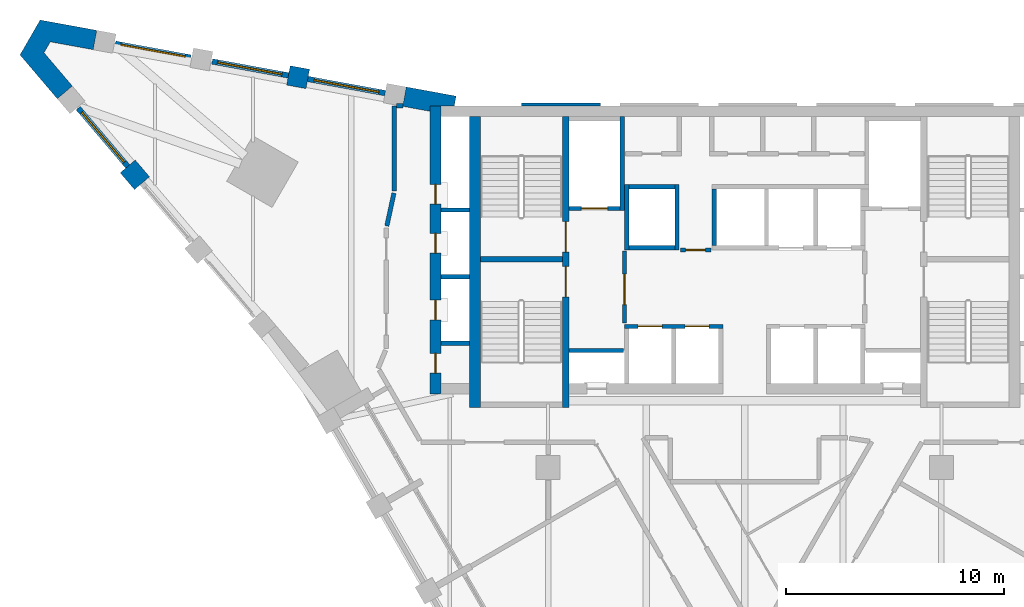
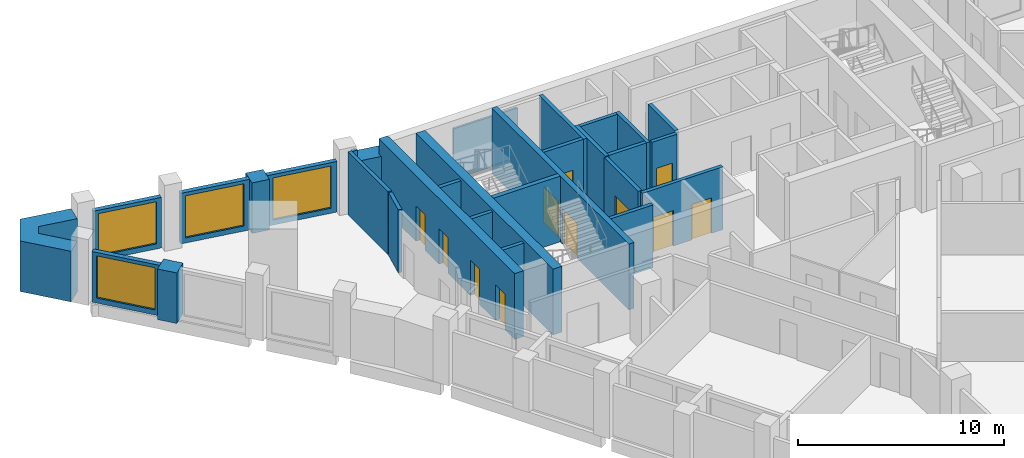
# One storey, part 5 of 9: 30 walls, 11 doors, 4 windows, 15 openings.
"""IFC4 building model written with IfcOpenShell, lengths in metres."""

import ifcopenshell
import ifcopenshell.guid

model = None  # the IFC model being written
_history = None  # IfcOwnerHistory: only IFC2X3 demands one
_inside = {}  # id of a spatial element -> (the spatial element, [elements in it])
_under = {}  # id of a project, library or spatial element -> (it, [spatial elements below it])
_declared = {}  # id of a project -> (the project, [libraries it declares])
_typed = {}  # id of a type object -> (the type object, [elements of that type])
_made_of = {}  # id of a material, layer set ... -> (it, [elements and type objects made of it])


def new_model(schema):
    """Start an empty IFC model of exactly this schema.

    Asked for "IFC4X3", IfcOpenShell would pick the latest addendum, in which some entities
    have other attributes; the version numbers below select the first issue.
    IFC2X3 requires an IfcOwnerHistory on every rooted entity: one is made here for all.
    """
    global model, _history
    if schema == "IFC4X3":
        model = ifcopenshell.file(schema_version=(4, 3, 0, 0))
    else:
        model = ifcopenshell.file(schema=schema)
    _inside.clear()
    _under.clear()
    _declared.clear()
    _typed.clear()
    _made_of.clear()
    _history = None
    if model.schema == "IFC2X3":
        org = make("IfcOrganization", Name="unknown")
        user = make(
            "IfcPersonAndOrganization",
            ThePerson=make("IfcPerson", FamilyName="unknown"),
            TheOrganization=org,
        )
        app = make(
            "IfcApplication",
            ApplicationDeveloper=org,
            Version="unknown",
            ApplicationFullName="unknown",
            ApplicationIdentifier="unknown",
        )
        _history = make(
            "IfcOwnerHistory",
            OwningUser=user,
            OwningApplication=app,
            ChangeAction="ADDED",
            CreationDate=0,
        )
    return model


def make(cls, **values):
    """One entity of the class cls with the attributes given. An attribute that is None is left unset."""
    return model.create_entity(
        cls, **{name: value for name, value in values.items() if value is not None}
    )


def rooted(cls, **values):
    """An entity with a GlobalId (a new one), such as an element, a storey or a relation."""
    return make(cls, GlobalId=ifcopenshell.guid.new(), OwnerHistory=_history, **values)


def si_unit(unit_type, name, prefix=None):
    """IfcSIUnit, for example si_unit("LENGTHUNIT", "METRE", prefix="MILLI")."""
    return make("IfcSIUnit", UnitType=unit_type, Prefix=prefix, Name=name)


def assignment(units):
    """IfcUnitAssignment: the units of a project."""
    return None if units is None else make("IfcUnitAssignment", Units=units)


def point(xyz):
    """IfcCartesianPoint."""
    return None if xyz is None else make("IfcCartesianPoint", Coordinates=xyz)


def direction(xyz):
    """IfcDirection."""
    return None if xyz is None else make("IfcDirection", DirectionRatios=xyz)


def frame(location, z_axis=None, x_axis=None):
    """IfcAxis2Placement3D, a coordinate frame: its origin and axes. An axis left out is left unset."""
    return make(
        "IfcAxis2Placement3D",
        Location=point(location),
        Axis=direction(z_axis),
        RefDirection=direction(x_axis),
    )


def frame_2d(location, x_axis=None):
    """IfcAxis2Placement2D, a coordinate frame in the plane: its origin and x axis."""
    return make(
        "IfcAxis2Placement2D", Location=point(location), RefDirection=direction(x_axis)
    )


def origin():
    """The frame at (0, 0, 0) with its axes left unset."""
    return frame((0.0, 0.0, 0.0))


def place(relative_to, where):
    """IfcLocalPlacement: puts the frame where relative to a parent placement (None: the world)."""
    return make(
        "IfcLocalPlacement", PlacementRelTo=relative_to, RelativePlacement=where
    )


def context(
    kind, dimensions, precision=None, world=None, true_north=None, identifier=None
):
    """IfcGeometricRepresentationContext, for example the 3D "Model" context."""
    return make(
        "IfcGeometricRepresentationContext",
        ContextIdentifier=identifier,
        ContextType=kind,
        CoordinateSpaceDimension=dimensions,
        Precision=precision,
        WorldCoordinateSystem=world,
        TrueNorth=true_north,
    )


def subcontext(parent, identifier, kind, view, scale=None):
    """IfcGeometricRepresentationSubContext, for example "Body" below "Model"."""
    return make(
        "IfcGeometricRepresentationSubContext",
        ContextIdentifier=identifier,
        ContextType=kind,
        ParentContext=parent,
        TargetScale=scale,
        TargetView=view,
    )


def project(units=None, contexts=None):
    """IfcProject with its units and contexts."""
    return rooted(
        "IfcProject",
        Name="project",
        RepresentationContexts=contexts,
        UnitsInContext=assignment(units),
    )


def spatial(cls, under=None, at=None, **own):
    """A site, building, storey or space (cls), placed at a placement, below another one or the project."""
    s = rooted(cls, ObjectPlacement=at, **own)
    if under is not None:
        _under.setdefault(under.id(), (under, []))[1].append(s)
    return s


def polyline(points):
    """IfcPolyline through the points."""
    return make("IfcPolyline", Points=[point(p) for p in points])


def profile(cls, at=None, kind="AREA", **sizes):
    """A parametric profile (cls). Its sizes go by their IFC names, for example OverallWidth=200.0."""
    return make(cls, ProfileType=kind, Position=at, **sizes)


def rectangle(**sizes):
    """IfcRectangleProfileDef."""
    return profile("IfcRectangleProfileDef", **sizes)


def outline(outer, holes=None, kind="AREA"):
    """IfcArbitraryClosedProfileDef: a profile drawn as a closed curve; with holes, ...WithVoids."""
    if holes is None:
        return make("IfcArbitraryClosedProfileDef", ProfileType=kind, OuterCurve=outer)
    return make(
        "IfcArbitraryProfileDefWithVoids",
        ProfileType=kind,
        OuterCurve=outer,
        InnerCurves=holes,
    )


def extrude(swept, where, along, depth):
    """IfcExtrudedAreaSolid: the profile swept, set in the frame where, extruded along a direction by depth."""
    return make(
        "IfcExtrudedAreaSolid",
        SweptArea=swept,
        Position=where,
        ExtrudedDirection=direction(along),
        Depth=depth,
    )


def shape(context_of_items, identifier, shape_type, items):
    """IfcShapeRepresentation: the items that make up one representation, for example the "Body"."""
    return make(
        "IfcShapeRepresentation",
        ContextOfItems=context_of_items,
        RepresentationIdentifier=identifier,
        RepresentationType=shape_type,
        Items=items,
    )


def material(Name=None, Category=None):
    """IfcMaterial."""
    return make("IfcMaterial", Name=Name, Category=Category)


def layer(
    of_material, thickness, ventilated=None, Name=None, Category=None, Priority=None
):
    """IfcMaterialLayer: one layer of a wall or slab, of a material (None: an air gap)."""
    return make(
        "IfcMaterialLayer",
        Material=of_material,
        LayerThickness=thickness,
        IsVentilated=ventilated,
        Name=Name,
        Category=Category,
        Priority=Priority,
    )


def layer_set(layers, Name=None):
    """IfcMaterialLayerSet."""
    return make("IfcMaterialLayerSet", MaterialLayers=layers, LayerSetName=Name)


def made_of(thing, what):
    """Note that an element or type object is made of a material, layer set ...; save() writes the relation."""
    if what is not None:
        _made_of.setdefault(what.id(), (what, []))[1].append(thing)
    return thing


def type_object(cls, material=None, **own):
    """A type object (cls), such as IfcWallType, which elements share."""
    return made_of(rooted(cls, **own), material)


def element(
    cls,
    number,
    at=None,
    inside=None,
    cuts=None,
    type_object=None,
    material=None,
    context=None,
    identifier="Body",
    shape_type=None,
    held_by="IfcProductDefinitionShape",
    body=None,
    shapes=None,
    **own,
):
    """One element of the class cls, such as IfcWall. Its Tag is "e" and its number.

    at: its placement. inside: the storey or other place that contains it. cuts: it is an
    opening in that element (IfcRelVoidsElement). A single representation is given by context,
    identifier, shape_type and body (its items); several are given by shapes. held_by: the class
    of the entity that holds the representations. save() writes the other relations.
    """
    e = rooted(cls, Tag="e%d" % number, ObjectPlacement=at, **own)
    if body is not None:
        shapes = [shape(context, identifier, shape_type, body)]
    if shapes is not None:
        e.Representation = make(held_by, Representations=shapes)
    if inside is not None:
        _inside.setdefault(inside.id(), (inside, []))[1].append(e)
    if cuts is not None:
        rooted(
            "IfcRelVoidsElement", RelatingBuildingElement=cuts, RelatedOpeningElement=e
        )
    if type_object is not None:
        _typed.setdefault(type_object.id(), (type_object, []))[1].append(e)
    return made_of(e, material)


def fill(opening, filler):
    """IfcRelFillsElement: the door or window that sits in an opening."""
    return rooted(
        "IfcRelFillsElement",
        RelatingOpeningElement=opening,
        RelatedBuildingElement=filler,
    )


def aggregate(whole, parts):
    """IfcRelAggregates: a whole, such as a stair, and the parts it consists of."""
    return rooted("IfcRelAggregates", RelatingObject=whole, RelatedObjects=parts)


def save(model, path):
    """Write the relations noted so far, then the file.

    IfcRelAggregates (storeys below a building ...), IfcRelContainedInSpatialStructure (elements
    in a storey), IfcRelDefinesByType, IfcRelAssociatesMaterial and IfcRelDeclares: one each for
    every whole, place, type object, material and project.
    """
    for whole, parts in _under.values():
        aggregate(whole, parts)
    for where, things in _inside.values():
        rooted(
            "IfcRelContainedInSpatialStructure",
            RelatedElements=things,
            RelatingStructure=where,
        )
    for kind, things in _typed.values():
        rooted("IfcRelDefinesByType", RelatedObjects=things, RelatingType=kind)
    for what, things in _made_of.values():
        rooted("IfcRelAssociatesMaterial", RelatedObjects=things, RelatingMaterial=what)
    for by, libraries in _declared.values():
        rooted("IfcRelDeclares", RelatingContext=by, RelatedDefinitions=libraries)
    model.write(path)


model = new_model("IFC4")

# Units and contexts
model_context = context("Model", 3, precision=1e-05, world=origin(), true_north=direction((0.0, 1.0)))
body_context = subcontext(model_context, "Body", "Model", "MODEL_VIEW")
ifc_project = project(units=[si_unit("LENGTHUNIT", "METRE"), si_unit("AREAUNIT", "SQUARE_METRE"), si_unit("VOLUMEUNIT", "CUBIC_METRE"), si_unit("PLANEANGLEUNIT", "RADIAN"), si_unit("MASSUNIT", "GRAM", prefix="KILO")], contexts=[model_context])

# Site, building, storey
site_placement = place(None, origin())
site = spatial("IfcSite", under=ifc_project, at=site_placement, CompositionType="ELEMENT")
building_placement = place(site_placement, origin())
building = spatial("IfcBuilding", under=site, at=building_placement, Name="Calabash Gate Tower", CompositionType="ELEMENT")
storey_placement = place(building_placement, frame((0.0, 0.0, 223.699951171875)))
storey = spatial("IfcBuildingStorey", under=building, at=storey_placement, Name="L53", CompositionType="ELEMENT", Elevation=223.699951171875)

# Walls
ifc_material_1 = material(Name="Terracotta brick masonry, exposed face", Category="masonry")
ifc_layer_1 = layer(ifc_material_1, 0.89990234375)
ifc_layer_set_1 = layer_set([ifc_layer_1], Name="Brick end wall 900")
wall_type_1 = type_object("IfcWallType", Name="Brick end wall 900", PredefinedType="SOLIDWALL", material=ifc_layer_set_1)
wall_1_placement = place(storey_placement, frame((-20.52099609375, 19.91796875, 0.0), z_axis=(0.0, 0.0, 1.0), x_axis=(0.180126650564, 0.983643426124, 0.0)))
element("IfcWall", 1, at=wall_1_placement, inside=storey, type_object=wall_type_1, Name="Brick pier S15 wedge5.1", PredefinedType="SOLIDWALL", context=body_context, shape_type="SweptSolid", body=[
    extrude(rectangle(XDim=0.89990234375, YDim=0.89990234375, at=frame_2d((0.449951171875, 0.0))), origin(), (0.0, 0.0, 1.0), 3.0),
])
wall_2_placement = place(storey_placement, frame((-27.587890625, 15.511474609375, 0.0), z_axis=(0.0, 0.0, 1.0), x_axis=(-0.647641360564, 0.761945318305, 0.0)))
element("IfcWall", 2, at=wall_2_placement, inside=storey, type_object=wall_type_1, Name="Brick pier S15 wedge7.1", PredefinedType="SOLIDWALL", context=body_context, shape_type="SweptSolid", body=[
    extrude(rectangle(XDim=1.00390625, YDim=0.89990234375, at=frame_2d((0.501953125, 0.0))), origin(), (0.0, 0.0, 1.0), 3.0),
])
wall_3_placement = place(storey_placement, origin())
element("IfcWall", 3, at=wall_3_placement, inside=storey, type_object=wall_type_1, Name="Brick end wall S15 1", PredefinedType="SOLIDWALL", context=body_context, shape_type="SweptSolid", body=[
    extrude(outline(polyline([(-15.651611328125, 19.02734375), (-15.65185546875, 19.027099609375), (-14.39990234375, 18.798095703125), (-14.39990234375, 19.052490234375), (-13.291015625, 19.052490234375), (-13.2099609375, 19.4951171875), (-15.489501953125, 19.912353515625), (-15.6513671875, 19.02734375), (-15.651611328125, 19.02734375)])), origin(), (0.0, 0.0, 1.0), 3.0),
])
wall_4_placement = place(storey_placement, origin())
element("IfcWall", 4, at=wall_4_placement, inside=storey, type_object=wall_type_1, Name="Brick end wall S15 2", PredefinedType="SOLIDWALL", context=body_context, shape_type="SweptSolid", body=[
    extrude(outline(polyline([(-31.784423828125, 21.978759765625), (-29.816650390625, 21.618896484375), (-29.654541015625, 22.504150390625), (-32.24658203125, 22.978271484375), (-33.168701171875, 21.38134765625), (-31.4619140625, 19.373779296875), (-30.776123046875, 19.956787109375), (-32.072021484375, 21.48095703125), (-31.784423828125, 21.978759765625)])), origin(), (0.0, 0.0, 1.0), 3.0),
])
ifc_material_2 = material(Name="Concrete C70/85", Category="concrete")
ifc_layer_2 = layer(ifc_material_2, 0.25)
ifc_layer_set_2 = layer_set([ifc_layer_2], Name="Core wall 250 Concrete C70/85")
wall_type_2 = type_object("IfcWallType", Name="Core wall 250 Concrete C70/85", PredefinedType="SHEAR", material=ifc_layer_set_2)
wall_5_placement = place(storey_placement, frame((-12.10009765625, 12.027587890625, 0.0), z_axis=(0.0, 0.0, 1.0), x_axis=(1.0, 0.0, 0.0)))
element("IfcWall", 5, at=wall_5_placement, inside=storey, type_object=wall_type_2, Name="Core wall Z4-MIDW L53", PredefinedType="SHEAR", context=body_context, shape_type="SweptSolid", body=[
    extrude(rectangle(XDim=3.75, YDim=0.25, at=frame_2d((1.875, 0.0))), origin(), (0.0, 0.0, 1.0), 3.900146484375),
])

# Wall, openings, doors
ifc_material_3 = material(Name="Concrete C70/85", Category="concrete")
ifc_layer_3 = layer(ifc_material_3, 0.300048828125)
ifc_layer_set_3 = layer_set([ifc_layer_3], Name="Core wall 300 Concrete C70/85")
wall_type_3 = type_object("IfcWallType", Name="Core wall 300 Concrete C70/85", PredefinedType="SHEAR", material=ifc_layer_set_3)
wall_6_placement = place(storey_placement, frame((-8.199951171875, 5.252685546875, 0.0), z_axis=(0.0, 0.0, 1.0), x_axis=(0.0, 1.0, 0.0)))
wall_6 = element("IfcWall", 6, at=wall_6_placement, inside=storey, type_object=wall_type_3, Name="Core wall Z4-PARTW L53", PredefinedType="SHEAR", context=body_context, shape_type="SweptSolid", body=[
    extrude(rectangle(XDim=13.2998046875, YDim=0.300048828125, at=frame_2d((6.64990234375, 0.0))), origin(), (0.0, 0.0, 1.0), 3.900146484375),
])
opening_1_placement = place(wall_6_placement, frame((7.10009765625, 0.0, 0.0)))
opening_1 = element("IfcOpeningElement", 7, at=opening_1_placement, cuts=wall_6, Name="Opening O7-018", PredefinedType="OPENING", context=body_context, shape_type="SweptSolid", body=[
    extrude(rectangle(XDim=1.39990234375, YDim=2.10009765625, at=frame_2d((0.699951171875, 1.050048828125))), frame((0.0, 0.159912109375, 0.0), z_axis=(0.0, -1.0, 0.0), x_axis=(1.0, 0.0, 0.0)), (0.0, 0.0, 1.0), 0.320068359375),
])
opening_2_placement = place(wall_6_placement, frame((5.050048828125, 0.0, 0.0)))
opening_2 = element("IfcOpeningElement", 8, at=opening_2_placement, cuts=wall_6, Name="Opening O7-019", PredefinedType="OPENING", context=body_context, shape_type="SweptSolid", body=[
    extrude(rectangle(XDim=1.39990234375, YDim=2.10009765625, at=frame_2d((0.699951171875, 1.050048828125))), frame((0.0, 0.159912109375, 0.0), z_axis=(0.0, -1.0, 0.0), x_axis=(1.0, 0.0, 0.0)), (0.0, 0.0, 1.0), 0.320068359375),
])
ifc_material_4 = material(Name="Steel fire door set with fire-resisting glazing", Category="steel")
door_type_1 = type_object("IfcDoorType", Name="Fire door D05 1400x2100 FD90", OperationType="NOTDEFINED", PredefinedType="DOOR", material=ifc_material_4)
door_1_placement = place(opening_1_placement, origin())
door_1 = element("IfcDoor", 9, at=door_1_placement, inside=storey, type_object=door_type_1, Name="Exit stair door ST1", OperationType="SINGLE_SWING_LEFT", OverallHeight=2.10009765625, OverallWidth=1.39990234375, PredefinedType="DOOR", context=body_context, shape_type="SweptSolid", body=[
    extrude(rectangle(XDim=1.39990234375, YDim=2.10009765625, at=frame_2d((0.699951171875, 1.050048828125))), frame((0.0, 0.02490234375, 0.0), z_axis=(0.0, -1.0, 0.0), x_axis=(1.0, 0.0, 0.0)), (0.0, 0.0, 1.0), 0.050048828125),
])
fill(opening_1, door_1)
door_2_placement = place(opening_2_placement, origin())
door_2 = element("IfcDoor", 10, at=door_2_placement, inside=storey, type_object=door_type_1, Name="Exit stair door ST2", OperationType="SINGLE_SWING_LEFT", OverallHeight=2.10009765625, OverallWidth=1.39990234375, PredefinedType="DOOR", context=body_context, shape_type="SweptSolid", body=[
    extrude(rectangle(XDim=1.39990234375, YDim=2.10009765625, at=frame_2d((0.699951171875, 1.050048828125))), frame((0.0, 0.02490234375, 0.0), z_axis=(0.0, -1.0, 0.0), x_axis=(1.0, 0.0, 0.0)), (0.0, 0.0, 1.0), 0.050048828125),
])
fill(opening_2, door_2)

# Wall
ifc_material_5 = material(Name="Concrete C70/85", Category="concrete")
ifc_layer_4 = layer(ifc_material_5, 0.5)
ifc_layer_set_4 = layer_set([ifc_layer_4], Name="Core wall 500 Concrete C70/85")
wall_type_4 = type_object("IfcWallType", Name="Core wall 500 Concrete C70/85", PredefinedType="SHEAR", material=ifc_layer_set_4)
wall_7_placement = place(storey_placement, frame((-12.35009765625, 5.252685546875, 0.0), z_axis=(0.0, 0.0, 1.0), x_axis=(0.0, 1.0, 0.0)))
element("IfcWall", 11, at=wall_7_placement, inside=storey, type_object=wall_type_4, Name="Core wall Z4-COLW L53", PredefinedType="SHEAR", context=body_context, shape_type="SweptSolid", body=[
    extrude(rectangle(XDim=13.2998046875, YDim=0.5, at=frame_2d((6.64990234375, 0.0))), origin(), (0.0, 0.0, 1.0), 3.900146484375),
])

# Wall, openings, doors
wall_8_placement = place(storey_placement, frame((-14.14990234375, 5.8525390625, 0.0), z_axis=(0.0, 0.0, 1.0), x_axis=(0.0, 1.0, 0.0)))
wall_8 = element("IfcWall", 12, at=wall_8_placement, inside=storey, type_object=wall_type_4, Name="Core wall Z4-ENDW L53", PredefinedType="SHEAR", context=body_context, shape_type="SweptSolid", body=[
    extrude(rectangle(XDim=13.199951171875, YDim=0.5, at=frame_2d((6.60009765625, 0.0))), origin(), (0.0, 0.0, 1.0), 3.900146484375),
])
opening_3_placement = place(wall_8_placement, frame((0.965087890625, 0.0, 0.0)))
opening_3 = element("IfcOpeningElement", 13, at=opening_3_placement, cuts=wall_8, Name="Opening O7-005", PredefinedType="OPENING", context=body_context, shape_type="SweptSolid", body=[
    extrude(rectangle(XDim=0.89990234375, YDim=2.10009765625, at=frame_2d((0.449951171875, 1.050048828125))), frame((0.0, 0.260009765625, 0.0), z_axis=(0.0, -1.0, 0.0), x_axis=(1.0, 0.0, 0.0)), (0.0, 0.0, 1.0), 0.52001953125),
])
opening_4_placement = place(wall_8_placement, frame((3.405029296875, 0.0, 0.0)))
opening_4 = element("IfcOpeningElement", 14, at=opening_4_placement, cuts=wall_8, Name="Opening O7-006", PredefinedType="OPENING", context=body_context, shape_type="SweptSolid", body=[
    extrude(rectangle(XDim=0.89990234375, YDim=2.10009765625, at=frame_2d((0.449951171875, 1.050048828125))), frame((0.0, 0.260009765625, 0.0), z_axis=(0.0, -1.0, 0.0), x_axis=(1.0, 0.0, 0.0)), (0.0, 0.0, 1.0), 0.52001953125),
])
opening_5_placement = place(wall_8_placement, frame((6.455078125, 0.0, 0.0)))
opening_5 = element("IfcOpeningElement", 15, at=opening_5_placement, cuts=wall_8, Name="Opening O7-007", PredefinedType="OPENING", context=body_context, shape_type="SweptSolid", body=[
    extrude(rectangle(XDim=0.89990234375, YDim=2.10009765625, at=frame_2d((0.449951171875, 1.050048828125))), frame((0.0, 0.260009765625, 0.0), z_axis=(0.0, -1.0, 0.0), x_axis=(1.0, 0.0, 0.0)), (0.0, 0.0, 1.0), 0.52001953125),
])
opening_6_placement = place(wall_8_placement, frame((8.697509765625, 0.0, 0.0)))
opening_6 = element("IfcOpeningElement", 16, at=opening_6_placement, cuts=wall_8, Name="Opening O7-008", PredefinedType="OPENING", context=body_context, shape_type="SweptSolid", body=[
    extrude(rectangle(XDim=0.89990234375, YDim=2.10009765625, at=frame_2d((0.449951171875, 1.050048828125))), frame((0.0, 0.260009765625, 0.0), z_axis=(0.0, -1.0, 0.0), x_axis=(1.0, 0.0, 0.0)), (0.0, 0.0, 1.0), 0.52001953125),
])
ifc_material_6 = material(Name="Steel fire door set with fire-resisting glazing", Category="steel")
door_type_2 = type_object("IfcDoorType", Name="Fire door D06 900x2100 FD60", OperationType="NOTDEFINED", PredefinedType="DOOR", material=ifc_material_6)
door_3_placement = place(opening_3_placement, origin())
door_3 = element("IfcDoor", 17, at=door_3_placement, inside=storey, type_object=door_type_2, Name="Cleaner's Store door", OperationType="SINGLE_SWING_LEFT", OverallHeight=2.10009765625, OverallWidth=0.89990234375, PredefinedType="DOOR", context=body_context, shape_type="SweptSolid", body=[
    extrude(rectangle(XDim=0.89990234375, YDim=2.10009765625, at=frame_2d((0.449951171875, 1.050048828125))), frame((0.0, 0.02490234375, 0.0), z_axis=(0.0, -1.0, 0.0), x_axis=(1.0, 0.0, 0.0)), (0.0, 0.0, 1.0), 0.050048828125),
])
fill(opening_3, door_3)
door_4_placement = place(opening_4_placement, origin())
door_4 = element("IfcDoor", 18, at=door_4_placement, inside=storey, type_object=door_type_2, Name="Duct Riser door", OperationType="SINGLE_SWING_LEFT", OverallHeight=2.10009765625, OverallWidth=0.89990234375, PredefinedType="DOOR", context=body_context, shape_type="SweptSolid", body=[
    extrude(rectangle(XDim=0.89990234375, YDim=2.10009765625, at=frame_2d((0.449951171875, 1.050048828125))), frame((0.0, 0.02490234375, 0.0), z_axis=(0.0, -1.0, 0.0), x_axis=(1.0, 0.0, 0.0)), (0.0, 0.0, 1.0), 0.050048828125),
])
fill(opening_4, door_4)
door_5_placement = place(opening_5_placement, origin())
door_5 = element("IfcDoor", 19, at=door_5_placement, inside=storey, type_object=door_type_2, Name="Electrical Riser door", OperationType="SINGLE_SWING_LEFT", OverallHeight=2.10009765625, OverallWidth=0.89990234375, PredefinedType="DOOR", context=body_context, shape_type="SweptSolid", body=[
    extrude(rectangle(XDim=0.89990234375, YDim=2.10009765625, at=frame_2d((0.449951171875, 1.050048828125))), frame((0.0, 0.02490234375, 0.0), z_axis=(0.0, -1.0, 0.0), x_axis=(1.0, 0.0, 0.0)), (0.0, 0.0, 1.0), 0.050048828125),
])
fill(opening_5, door_5)
door_6_placement = place(opening_6_placement, origin())
door_6 = element("IfcDoor", 20, at=door_6_placement, inside=storey, type_object=door_type_2, Name="Comms Riser door", OperationType="SINGLE_SWING_LEFT", OverallHeight=2.10009765625, OverallWidth=0.89990234375, PredefinedType="DOOR", context=body_context, shape_type="SweptSolid", body=[
    extrude(rectangle(XDim=0.89990234375, YDim=2.10009765625, at=frame_2d((0.449951171875, 1.050048828125))), frame((0.0, 0.02490234375, 0.0), z_axis=(0.0, -1.0, 0.0), x_axis=(1.0, 0.0, 0.0)), (0.0, 0.0, 1.0), 0.050048828125),
])
fill(opening_6, door_6)

# Walls
ifc_material_7 = material(Name="Gypsum board on steel studs, mineral wool", Category="steel")
ifc_layer_5 = layer(ifc_material_7, 0.199951171875)
ifc_layer_set_5 = layer_set([ifc_layer_5], Name="Partition 200 gypsum board EI 60")
wall_type_5 = type_object("IfcWallType", Name="Partition 200 gypsum board EI 60", PredefinedType="PARTITIONING", material=ifc_layer_set_5)
wall_9_placement = place(storey_placement, frame((-16.37939453125, 13.55029296875, 0.0), z_axis=(0.0, 0.0, 1.0), x_axis=(0.212008297386, 0.977267865961, 0.0)))
element("IfcWall", 21, at=wall_9_placement, inside=storey, type_object=wall_type_5, Name="Partition", PredefinedType="PARTITIONING", context=body_context, shape_type="SweptSolid", body=[
    extrude(rectangle(XDim=1.53955078125, YDim=0.199951171875, at=frame_2d((0.769775390625, 0.0))), origin(), (0.0, 0.0, 1.0), 3.72998046875),
])
wall_10_placement = place(storey_placement, frame((-16.031982421875, 15.152587890625, 0.0), z_axis=(0.0, 0.0, 1.0), x_axis=(0.0, 1.0, 0.0)))
element("IfcWall", 22, at=wall_10_placement, inside=storey, type_object=wall_type_5, Name="Partition", PredefinedType="PARTITIONING", context=body_context, shape_type="SweptSolid", body=[
    extrude(rectangle(XDim=3.89990234375, YDim=0.199951171875, at=frame_2d((1.949951171875, 0.0))), origin(), (0.0, 0.0, 1.0), 3.72998046875),
])
wall_11_placement = place(storey_placement, frame((-15.931884765625, 19.052490234375, 0.0), z_axis=(0.0, 0.0, 1.0), x_axis=(1.0, 0.0, 0.0)))
element("IfcWall", 23, at=wall_11_placement, inside=storey, type_object=wall_type_5, Name="Partition", PredefinedType="PARTITIONING", context=body_context, shape_type="SweptSolid", body=[
    extrude(rectangle(XDim=0.28515625, YDim=0.199951171875, at=frame_2d((0.142578125, 0.0))), origin(), (0.0, 0.0, 1.0), 3.72998046875),
])

# Wall, opening, window
ifc_material_8 = material(Name="Aluminium framed window wall with insulated spandrel", Category="aluminium")
ifc_layer_6 = layer(ifc_material_8, 0.25)
ifc_layer_set_6 = layer_set([ifc_layer_6], Name="Prow window wall 250")
wall_type_6 = type_object("IfcWallType", Name="Prow window wall 250", PredefinedType="ELEMENTEDWALL", material=ifc_layer_set_6)
wall_12_placement = place(storey_placement, frame((-16.4560546875, 19.631591796875, 0.0), z_axis=(0.0, 0.0, 1.0), x_axis=(-0.983669647318, 0.17998340186, 0.0)))
wall_12 = element("IfcWall", 24, at=wall_12_placement, inside=storey, type_object=wall_type_6, Name="Prow window wall S15 wedge5.1", PredefinedType="ELEMENTEDWALL", context=body_context, shape_type="SweptSolid", body=[
    extrude(rectangle(XDim=3.60009765625, YDim=0.25, at=frame_2d((1.800048828125, 0.0))), origin(), (0.0, 0.0, 1.0), 3.0),
])
opening_7_placement = place(wall_12_placement, frame((0.300048828125, 0.0, 0.300048828125)))
opening_7 = element("IfcOpeningElement", 25, at=opening_7_placement, cuts=wall_12, Name="Opening WP2", PredefinedType="OPENING", context=body_context, shape_type="SweptSolid", body=[
    extrude(rectangle(XDim=3.0, YDim=2.5, at=frame_2d((1.5, 1.25))), frame((0.0, 0.135009765625, 0.0), z_axis=(0.0, -1.0, 0.0), x_axis=(1.0, 0.0, 0.0)), (0.0, 0.0, 1.0), 0.27001953125),
])
ifc_material_9 = material(Name="Anodised aluminium frame, bronze finish, impact-rated laminated clear glazing", Category="aluminium")
window_type = type_object("IfcWindowType", Name="Window WP2 3000x2500", PartitioningType="DOUBLE_PANEL_VERTICAL", PredefinedType="WINDOW", material=ifc_material_9)
window_1_placement = place(opening_7_placement, origin())
window_1 = element("IfcWindow", 26, at=window_1_placement, inside=storey, type_object=window_type, Name="Prow window WP2 S15 wedge5.1", OverallHeight=2.5, OverallWidth=3.0, PartitioningType="SINGLE_PANEL", PredefinedType="WINDOW", context=body_context, shape_type="SweptSolid", body=[
    extrude(rectangle(XDim=3.0, YDim=2.5, at=frame_2d((1.5, 1.25))), frame((0.0, 0.030029296875, 0.0), z_axis=(0.0, -1.0, 0.0), x_axis=(1.0, 0.0, 0.0)), (0.0, 0.0, 1.0), 0.06005859375),
])
fill(opening_7, window_1)

wall_13_placement = place(storey_placement, frame((-20.880615234375, 20.441162109375, 0.0), z_axis=(0.0, 0.0, 1.0), x_axis=(-0.98366583261, 0.180004249274, 0.0)))
wall_13 = element("IfcWall", 27, at=wall_13_placement, inside=storey, type_object=wall_type_6, Name="Prow window wall S15 wedge5.2", PredefinedType="ELEMENTEDWALL", context=body_context, shape_type="SweptSolid", body=[
    extrude(rectangle(XDim=3.55224609375, YDim=0.25, at=frame_2d((1.776123046875, 0.0))), origin(), (0.0, 0.0, 1.0), 3.0),
])
opening_8_placement = place(wall_13_placement, frame((0.302001953125, 0.0, 0.300048828125)))
opening_8 = element("IfcOpeningElement", 28, at=opening_8_placement, cuts=wall_13, Name="Opening WP2", PredefinedType="OPENING", context=body_context, shape_type="SweptSolid", body=[
    extrude(rectangle(XDim=3.0, YDim=2.5, at=frame_2d((1.5, 1.25))), frame((0.0, 0.135009765625, 0.0), z_axis=(0.0, -1.0, 0.0), x_axis=(1.0, 0.0, 0.0)), (0.0, 0.0, 1.0), 0.27001953125),
])
window_2_placement = place(opening_8_placement, origin())
window_2 = element("IfcWindow", 29, at=window_2_placement, inside=storey, type_object=window_type, Name="Prow window WP2 S15 wedge5.2", OverallHeight=2.5, OverallWidth=3.0, PartitioningType="SINGLE_PANEL", PredefinedType="WINDOW", context=body_context, shape_type="SweptSolid", body=[
    extrude(rectangle(XDim=3.0, YDim=2.5, at=frame_2d((1.5, 1.25))), frame((0.0, 0.030029296875, 0.0), z_axis=(0.0, -1.0, 0.0), x_axis=(1.0, 0.0, 0.0)), (0.0, 0.0, 1.0), 0.06005859375),
])
fill(opening_8, window_2)

wall_14_placement = place(storey_placement, frame((-25.3583984375, 21.260498046875, 0.0), z_axis=(0.0, 0.0, 1.0), x_axis=(-0.983672889292, 0.179965682483, 0.0)))
wall_14 = element("IfcWall", 30, at=wall_14_placement, inside=storey, type_object=wall_type_6, Name="Prow window wall S15 wedge5.3", PredefinedType="ELEMENTEDWALL", context=body_context, shape_type="SweptSolid", body=[
    extrude(rectangle(XDim=3.5, YDim=0.25, at=frame_2d((1.75, 0.0))), origin(), (0.0, 0.0, 1.0), 3.0),
])
opening_9_placement = place(wall_14_placement, frame((0.25, 0.0, 0.300048828125)))
opening_9 = element("IfcOpeningElement", 31, at=opening_9_placement, cuts=wall_14, Name="Opening WP2", PredefinedType="OPENING", context=body_context, shape_type="SweptSolid", body=[
    extrude(rectangle(XDim=3.0, YDim=2.5, at=frame_2d((1.5, 1.25))), frame((0.0, 0.135009765625, 0.0), z_axis=(0.0, -1.0, 0.0), x_axis=(1.0, 0.0, 0.0)), (0.0, 0.0, 1.0), 0.27001953125),
])
window_3_placement = place(opening_9_placement, origin())
window_3 = element("IfcWindow", 32, at=window_3_placement, inside=storey, type_object=window_type, Name="Prow window WP2 S15 wedge5.3", OverallHeight=2.5, OverallWidth=3.0, PartitioningType="SINGLE_PANEL", PredefinedType="WINDOW", context=body_context, shape_type="SweptSolid", body=[
    extrude(rectangle(XDim=3.0, YDim=2.5, at=frame_2d((1.5, 1.25))), frame((0.0, 0.030029296875, 0.0), z_axis=(0.0, -1.0, 0.0), x_axis=(1.0, 0.0, 0.0)), (0.0, 0.0, 1.0), 0.06005859375),
])
fill(opening_9, window_3)

wall_15_placement = place(storey_placement, frame((-30.503662109375, 18.94140625, 0.0), z_axis=(0.0, 0.0, 1.0), x_axis=(0.647701065937, -0.761894565661, 0.0)))
wall_15 = element("IfcWall", 33, at=wall_15_placement, inside=storey, type_object=wall_type_6, Name="Prow window wall S15 wedge7.1", PredefinedType="ELEMENTEDWALL", context=body_context, shape_type="SweptSolid", body=[
    extrude(rectangle(XDim=3.499755859375, YDim=0.25, at=frame_2d((1.75, 0.0))), origin(), (0.0, 0.0, 1.0), 3.0),
])
opening_10_placement = place(wall_15_placement, frame((0.25, 0.0, 0.300048828125)))
opening_10 = element("IfcOpeningElement", 34, at=opening_10_placement, cuts=wall_15, Name="Opening WP2", PredefinedType="OPENING", context=body_context, shape_type="SweptSolid", body=[
    extrude(rectangle(XDim=3.0, YDim=2.5, at=frame_2d((1.5, 1.25))), frame((0.0, 0.135009765625, 0.0), z_axis=(0.0, -1.0, 0.0), x_axis=(1.0, 0.0, 0.0)), (0.0, 0.0, 1.0), 0.27001953125),
])
window_4_placement = place(opening_10_placement, origin())
window_4 = element("IfcWindow", 35, at=window_4_placement, inside=storey, type_object=window_type, Name="Prow window WP2 S15 wedge7.1", OverallHeight=2.5, OverallWidth=3.0, PartitioningType="SINGLE_PANEL", PredefinedType="WINDOW", context=body_context, shape_type="SweptSolid", body=[
    extrude(rectangle(XDim=3.0, YDim=2.5, at=frame_2d((1.5, 1.25))), frame((0.0, 0.030029296875, 0.0), z_axis=(0.0, -1.0, 0.0), x_axis=(1.0, 0.0, 0.0)), (0.0, 0.0, 1.0), 0.06005859375),
])
fill(opening_10, window_4)

# Walls
ifc_material_10 = material(Name="Concrete C40/50", Category="concrete")
ifc_layer_7 = layer(ifc_material_10, 0.199951171875)
ifc_layer_set_7 = layer_set([ifc_layer_7], Name="Shaft wall 200 Concrete C40/50")
wall_type_7 = type_object("IfcWallType", Name="Shaft wall 200 Concrete C40/50", PredefinedType="SOLIDWALL", material=ifc_layer_set_7)
wall_16_placement = place(storey_placement, frame((-8.050048828125, 7.8525390625, 0.0), z_axis=(0.0, 0.0, 1.0), x_axis=(1.0, 0.0, 0.0)))
element("IfcWall", 36, at=wall_16_placement, inside=storey, type_object=wall_type_7, Name="Shaft wall", PredefinedType="SOLIDWALL", context=body_context, shape_type="SweptSolid", body=[
    extrude(rectangle(XDim=2.5, YDim=0.199951171875, at=frame_2d((1.25, 0.0))), origin(), (0.0, 0.0, 1.0), 3.72998046875),
])
wall_17_placement = place(storey_placement, frame((-13.89990234375, 8.1826171875, 0.0), z_axis=(0.0, 0.0, 1.0), x_axis=(1.0, 0.0, 0.0)))
element("IfcWall", 37, at=wall_17_placement, inside=storey, type_object=wall_type_7, Name="Shaft wall", PredefinedType="SOLIDWALL", context=body_context, shape_type="SweptSolid", body=[
    extrude(rectangle(XDim=1.2998046875, YDim=0.199951171875, at=frame_2d((0.64990234375, 0.0))), origin(), (0.0, 0.0, 1.0), 3.72998046875),
])

# Wall, openings, doors
wall_18_placement = place(storey_placement, frame((-5.5, 8.95263671875, 0.0), z_axis=(0.0, 0.0, 1.0), x_axis=(1.0, 0.0, 0.0)))
wall_18 = element("IfcWall", 38, at=wall_18_placement, inside=storey, type_object=wall_type_7, Name="Shaft wall", PredefinedType="SOLIDWALL", context=body_context, shape_type="SweptSolid", body=[
    extrude(rectangle(XDim=4.5, YDim=0.199951171875, at=frame_2d((2.25, 0.0))), origin(), (0.0, 0.0, 1.0), 3.72998046875),
])
opening_11_placement = place(wall_18_placement, frame((0.625, 0.0, 0.0)))
opening_11 = element("IfcOpeningElement", 39, at=opening_11_placement, cuts=wall_18, Name="Opening LD-HR1", PredefinedType="OPENING", context=body_context, shape_type="SweptSolid", body=[
    extrude(rectangle(XDim=1.10009765625, YDim=2.10009765625, at=frame_2d((0.550048828125, 1.050048828125))), frame((0.0, 0.10986328125, 0.0), z_axis=(0.0, -1.0, 0.0), x_axis=(1.0, 0.0, 0.0)), (0.0, 0.0, 1.0), 0.219970703125),
])
opening_12_placement = place(wall_18_placement, frame((2.77490234375, 0.0, 0.0)))
opening_12 = element("IfcOpeningElement", 40, at=opening_12_placement, cuts=wall_18, Name="Opening LD-HR2", PredefinedType="OPENING", context=body_context, shape_type="SweptSolid", body=[
    extrude(rectangle(XDim=1.10009765625, YDim=2.10009765625, at=frame_2d((0.550048828125, 1.050048828125))), frame((0.0, 0.10986328125, 0.0), z_axis=(0.0, -1.0, 0.0), x_axis=(1.0, 0.0, 0.0)), (0.0, 0.0, 1.0), 0.219970703125),
])
ifc_material_11 = material(Name="Stainless steel sliding door leaves", Category="steel")
door_type_3 = type_object("IfcDoorType", Name="Lift landing door LS1 1100x2100 FD90", OperationType="DOUBLE_DOOR_SLIDING", PredefinedType="DOOR", material=ifc_material_11)
door_7_placement = place(opening_11_placement, origin())
door_7 = element("IfcDoor", 41, at=door_7_placement, inside=storey, type_object=door_type_3, Name="Lift landing door HR1", OperationType="DOUBLE_DOOR_SLIDING", OverallHeight=2.10009765625, OverallWidth=1.10009765625, PredefinedType="DOOR", context=body_context, shape_type="SweptSolid", body=[
    extrude(rectangle(XDim=1.10009765625, YDim=2.10009765625, at=frame_2d((0.550048828125, 1.050048828125))), frame((0.0, 0.02490234375, 0.0), z_axis=(0.0, -1.0, 0.0), x_axis=(1.0, 0.0, 0.0)), (0.0, 0.0, 1.0), 0.050048828125),
])
fill(opening_11, door_7)
door_8_placement = place(opening_12_placement, origin())
door_8 = element("IfcDoor", 42, at=door_8_placement, inside=storey, type_object=door_type_3, Name="Lift landing door HR2", OperationType="DOUBLE_DOOR_SLIDING", OverallHeight=2.10009765625, OverallWidth=1.10009765625, PredefinedType="DOOR", context=body_context, shape_type="SweptSolid", body=[
    extrude(rectangle(XDim=1.10009765625, YDim=2.10009765625, at=frame_2d((0.550048828125, 1.050048828125))), frame((0.0, 0.02490234375, 0.0), z_axis=(0.0, -1.0, 0.0), x_axis=(1.0, 0.0, 0.0)), (0.0, 0.0, 1.0), 0.050048828125),
])
fill(opening_12, door_8)

# Wall, opening, door
wall_19_placement = place(storey_placement, frame((-5.5, 9.1025390625, 0.0), z_axis=(0.0, 0.0, 1.0), x_axis=(0.0, 1.0, 0.0)))
wall_19 = element("IfcWall", 43, at=wall_19_placement, inside=storey, type_object=wall_type_7, Name="Shaft wall", PredefinedType="SOLIDWALL", context=body_context, shape_type="SweptSolid", body=[
    extrude(rectangle(XDim=3.300048828125, YDim=0.199951171875, at=frame_2d((1.64990234375, 0.0))), origin(), (0.0, 0.0, 1.0), 3.72998046875),
])
opening_13_placement = place(wall_19_placement, frame((0.85009765625, 0.0, 0.0)))
opening_13 = element("IfcOpeningElement", 44, at=opening_13_placement, cuts=wall_19, Name="Opening O7-011", PredefinedType="OPENING", context=body_context, shape_type="SweptSolid", body=[
    extrude(rectangle(XDim=1.39990234375, YDim=2.10009765625, at=frame_2d((0.699951171875, 1.050048828125))), frame((0.0, 0.10986328125, 0.0), z_axis=(0.0, -1.0, 0.0), x_axis=(1.0, 0.0, 0.0)), (0.0, 0.0, 1.0), 0.219970703125),
])
door_9_placement = place(opening_13_placement, origin())
door_9 = element("IfcDoor", 45, at=door_9_placement, inside=storey, type_object=door_type_1, Name="Firefighting Lobby W door", OperationType="SINGLE_SWING_RIGHT", OverallHeight=2.10009765625, OverallWidth=1.39990234375, PredefinedType="DOOR", context=body_context, shape_type="SweptSolid", body=[
    extrude(rectangle(XDim=1.39990234375, YDim=2.10009765625, at=frame_2d((0.699951171875, 1.050048828125))), frame((0.0, 0.02490234375, 0.0), z_axis=(0.0, -1.0, 0.0), x_axis=(1.0, 0.0, 0.0)), (0.0, 0.0, 1.0), 0.050048828125),
])
fill(opening_13, door_9)

# Wall
wall_20_placement = place(storey_placement, frame((-13.89990234375, 11.232666015625, 0.0), z_axis=(0.0, 0.0, 1.0), x_axis=(1.0, 0.0, 0.0)))
element("IfcWall", 46, at=wall_20_placement, inside=storey, type_object=wall_type_7, Name="Shaft wall", PredefinedType="SOLIDWALL", context=body_context, shape_type="SweptSolid", body=[
    extrude(rectangle(XDim=1.2998046875, YDim=0.199951171875, at=frame_2d((0.64990234375, 0.0))), origin(), (0.0, 0.0, 1.0), 3.72998046875),
])

# Wall, opening, door
wall_21_placement = place(storey_placement, frame((-2.949951171875, 12.45263671875, 0.0), z_axis=(0.0, 0.0, 1.0), x_axis=(1.0, 0.0, 0.0)))
wall_21 = element("IfcWall", 47, at=wall_21_placement, inside=storey, type_object=wall_type_7, Name="Shaft wall", PredefinedType="SOLIDWALL", context=body_context, shape_type="SweptSolid", body=[
    extrude(rectangle(XDim=1.39990234375, YDim=0.199951171875, at=frame_2d((0.699951171875, 0.0))), origin(), (0.0, 0.0, 1.0), 3.72998046875),
])
opening_14_placement = place(wall_21_placement, frame((0.25, 0.0, 0.0)))
opening_14 = element("IfcOpeningElement", 48, at=opening_14_placement, cuts=wall_21, Name="Opening O7-009", PredefinedType="OPENING", context=body_context, shape_type="SweptSolid", body=[
    extrude(rectangle(XDim=0.89990234375, YDim=2.10009765625, at=frame_2d((0.449951171875, 1.050048828125))), frame((0.0, 0.10986328125, 0.0), z_axis=(0.0, -1.0, 0.0), x_axis=(1.0, 0.0, 0.0)), (0.0, 0.0, 1.0), 0.219970703125),
])
door_10_placement = place(opening_14_placement, origin())
door_10 = element("IfcDoor", 49, at=door_10_placement, inside=storey, type_object=door_type_2, Name="Service Corridor door", OperationType="SINGLE_SWING_RIGHT", OverallHeight=2.10009765625, OverallWidth=0.89990234375, PredefinedType="DOOR", context=body_context, shape_type="SweptSolid", body=[
    extrude(rectangle(XDim=0.89990234375, YDim=2.10009765625, at=frame_2d((0.449951171875, 1.050048828125))), frame((0.0, 0.02490234375, 0.0), z_axis=(0.0, -1.0, 0.0), x_axis=(1.0, 0.0, 0.0)), (0.0, 0.0, 1.0), 0.050048828125),
])
fill(opening_14, door_10)

# Walls
wall_22_placement = place(storey_placement, frame((-5.39990234375, 12.45263671875, 0.0), z_axis=(0.0, 0.0, 1.0), x_axis=(0.0, 1.0, 0.0)))
element("IfcWall", 50, at=wall_22_placement, inside=storey, type_object=wall_type_7, Name="Shaft wall", PredefinedType="SOLIDWALL", context=body_context, shape_type="SweptSolid", body=[
    extrude(rectangle(XDim=3.0, YDim=0.199951171875, at=frame_2d((1.5, 0.0))), origin(), (0.0, 0.0, 1.0), 3.72998046875),
])
wall_23_placement = place(storey_placement, frame((-5.300048828125, 12.552490234375, 0.0), z_axis=(0.0, 0.0, 1.0), x_axis=(1.0, 0.0, 0.0)))
element("IfcWall", 51, at=wall_23_placement, inside=storey, type_object=wall_type_7, Name="Shaft wall", PredefinedType="SOLIDWALL", context=body_context, shape_type="SweptSolid", body=[
    extrude(rectangle(XDim=2.10009765625, YDim=0.199951171875, at=frame_2d((1.050048828125, 0.0))), origin(), (0.0, 0.0, 1.0), 3.72998046875),
])
wall_24_placement = place(storey_placement, frame((-3.10009765625, 12.45263671875, 0.0), z_axis=(0.0, 0.0, 1.0), x_axis=(0.0, 1.0, 0.0)))
element("IfcWall", 52, at=wall_24_placement, inside=storey, type_object=wall_type_7, Name="Shaft wall", PredefinedType="SOLIDWALL", context=body_context, shape_type="SweptSolid", body=[
    extrude(rectangle(XDim=3.0, YDim=0.199951171875, at=frame_2d((1.5, 0.0))), origin(), (0.0, 0.0, 1.0), 3.72998046875),
])
wall_25_placement = place(storey_placement, frame((-1.39990234375, 12.652587890625, 0.0), z_axis=(0.0, 0.0, 1.0), x_axis=(0.0, 1.0, 0.0)))
element("IfcWall", 53, at=wall_25_placement, inside=storey, type_object=wall_type_7, Name="Shaft wall", PredefinedType="SOLIDWALL", context=body_context, shape_type="SweptSolid", body=[
    extrude(rectangle(XDim=2.60009765625, YDim=0.199951171875, at=frame_2d((1.300048828125, 0.0))), origin(), (0.0, 0.0, 1.0), 3.72998046875),
])
wall_26_placement = place(storey_placement, frame((-13.89990234375, 14.28271484375, 0.0), z_axis=(0.0, 0.0, 1.0), x_axis=(1.0, 0.0, 0.0)))
element("IfcWall", 54, at=wall_26_placement, inside=storey, type_object=wall_type_7, Name="Shaft wall", PredefinedType="SOLIDWALL", context=body_context, shape_type="SweptSolid", body=[
    extrude(rectangle(XDim=1.2998046875, YDim=0.199951171875, at=frame_2d((0.64990234375, 0.0))), origin(), (0.0, 0.0, 1.0), 3.72998046875),
])

# Wall, opening, door
wall_27_placement = place(storey_placement, frame((-8.050048828125, 14.3525390625, 0.0), z_axis=(0.0, 0.0, 1.0), x_axis=(1.0, 0.0, 0.0)))
wall_27 = element("IfcWall", 55, at=wall_27_placement, inside=storey, type_object=wall_type_7, Name="Shaft wall", PredefinedType="SOLIDWALL", context=body_context, shape_type="SweptSolid", body=[
    extrude(rectangle(XDim=2.35009765625, YDim=0.199951171875, at=frame_2d((1.175048828125, 0.0))), origin(), (0.0, 0.0, 1.0), 3.72998046875),
])
opening_15_placement = place(wall_27_placement, frame((0.574951171875, 0.0, 0.0)))
opening_15 = element("IfcOpeningElement", 56, at=opening_15_placement, cuts=wall_27, Name="Opening LD-FF1", PredefinedType="OPENING", context=body_context, shape_type="SweptSolid", body=[
    extrude(rectangle(XDim=1.199951171875, YDim=2.10009765625, at=frame_2d((0.60009765625, 1.050048828125))), frame((0.0, 0.10986328125, 0.0), z_axis=(0.0, -1.0, 0.0), x_axis=(1.0, 0.0, 0.0)), (0.0, 0.0, 1.0), 0.219970703125),
])
ifc_material_12 = material(Name="Stainless steel sliding door leaves", Category="steel")
door_type_4 = type_object("IfcDoorType", Name="Lift landing door LS3 1200x2100 FD90", OperationType="DOUBLE_DOOR_SLIDING", PredefinedType="DOOR", material=ifc_material_12)
door_11_placement = place(opening_15_placement, origin())
door_11 = element("IfcDoor", 57, at=door_11_placement, inside=storey, type_object=door_type_4, Name="Lift landing door FF1", OperationType="DOUBLE_DOOR_SLIDING", OverallHeight=2.10009765625, OverallWidth=1.199951171875, PredefinedType="DOOR", context=body_context, shape_type="SweptSolid", body=[
    extrude(rectangle(XDim=1.199951171875, YDim=2.10009765625, at=frame_2d((0.60009765625, 1.050048828125))), frame((0.0, 0.02490234375, 0.0), z_axis=(0.0, -1.0, 0.0), x_axis=(1.0, 0.0, 0.0)), (0.0, 0.0, 1.0), 0.050048828125),
])
fill(opening_15, door_11)

# Walls
wall_28_placement = place(storey_placement, frame((-5.60009765625, 14.252685546875, 0.0), z_axis=(0.0, 0.0, 1.0), x_axis=(0.0, 1.0, 0.0)))
element("IfcWall", 58, at=wall_28_placement, inside=storey, type_object=wall_type_7, Name="Shaft wall", PredefinedType="SOLIDWALL", context=body_context, shape_type="SweptSolid", body=[
    extrude(rectangle(XDim=4.2998046875, YDim=0.199951171875, at=frame_2d((2.14990234375, 0.0))), origin(), (0.0, 0.0, 1.0), 3.72998046875),
])
wall_29_placement = place(storey_placement, frame((-5.300048828125, 15.3525390625, 0.0), z_axis=(0.0, 0.0, 1.0), x_axis=(1.0, 0.0, 0.0)))
element("IfcWall", 59, at=wall_29_placement, inside=storey, type_object=wall_type_7, Name="Shaft wall", PredefinedType="SOLIDWALL", context=body_context, shape_type="SweptSolid", body=[
    extrude(rectangle(XDim=2.10009765625, YDim=0.199951171875, at=frame_2d((1.050048828125, 0.0))), origin(), (0.0, 0.0, 1.0), 3.72998046875),
])
ifc_material_13 = material(Name="Terracotta brick masonry, perforated", Category="masonry")
ifc_layer_8 = layer(ifc_material_13, 0.1201171875)
ifc_layer_set_8 = layer_set([ifc_layer_8], Name="Terracotta jaali cladding A 120")
wall_type_8 = type_object("IfcWallType", Name="Terracotta jaali cladding A 120", PredefinedType="SOLIDWALL", material=ifc_layer_set_8)
wall_30_placement = place(storey_placement, origin())
element("IfcWall", 60, at=wall_30_placement, inside=storey, type_object=wall_type_8, Name="Jaali cladding S15 N4.7", PredefinedType="SOLIDWALL", context=body_context, shape_type="SweptSolid", body=[
    extrude(outline(polyline([(-10.2060546875, 19.172607421875), (-10.2060546875, 19.052490234375), (-6.606201171875, 19.052490234375), (-6.606201171875, 19.172607421875), (-10.2060546875, 19.172607421875)])), origin(), (0.0, 0.0, 1.0), 3.0),
])

save(model, "model.ifc")
